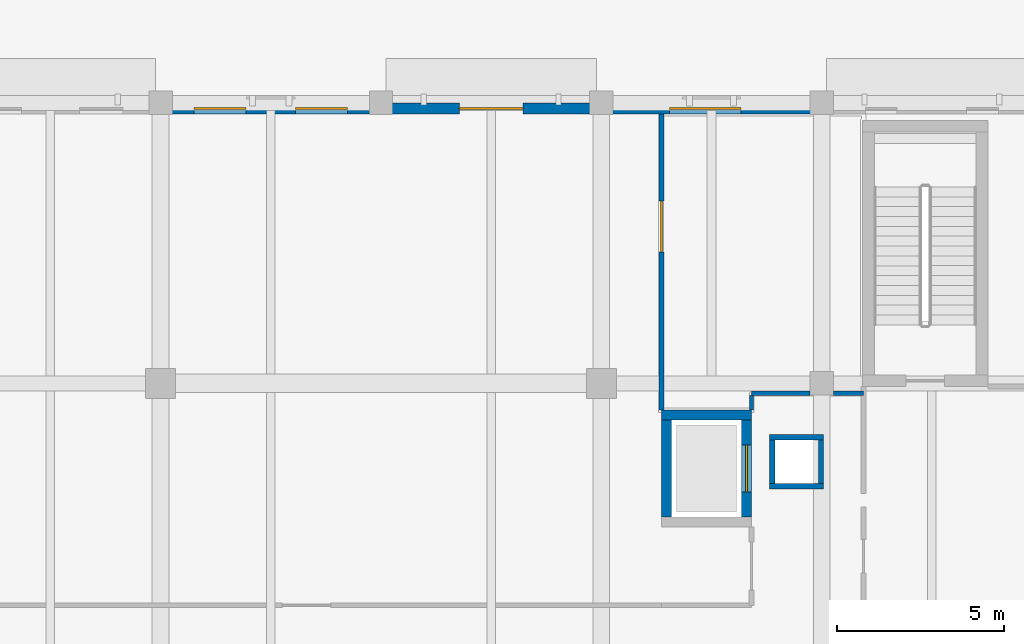
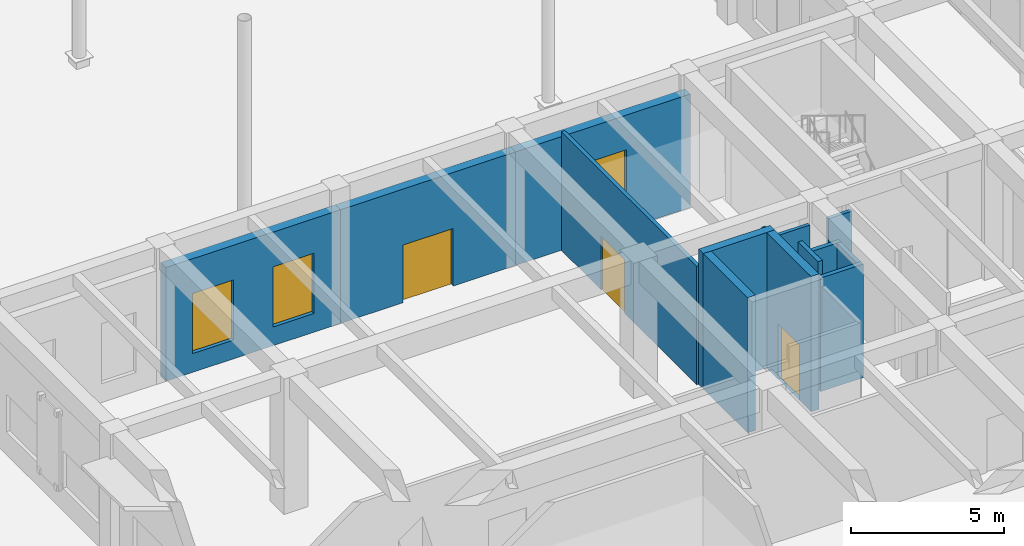
# One storey, part 53 of 82: 14 walls, 3 doors, 3 windows, 6 openings.
"""IFC4 building model written with IfcOpenShell, lengths in metres."""

from ifc_helpers import new_model, si_unit, direction, frame, frame_2d, origin, place, context, subcontext, project, spatial, rectangle, extrude, material, layer, layer_set, type_object, element, fill, save


model = new_model("IFC4")

# Units and contexts
model_context = context("Model", 3, precision=1e-05, world=origin(), true_north=direction((0.0, 1.0)))
body_context = subcontext(model_context, "Body", "Model", "MODEL_VIEW")
ifc_project = project(units=[si_unit("LENGTHUNIT", "METRE"), si_unit("AREAUNIT", "SQUARE_METRE"), si_unit("VOLUMEUNIT", "CUBIC_METRE"), si_unit("PLANEANGLEUNIT", "RADIAN"), si_unit("MASSUNIT", "GRAM", prefix="KILO")], contexts=[model_context])

# Site, building, storey
site_placement = place(None, origin())
site = spatial("IfcSite", under=ifc_project, at=site_placement, CompositionType="ELEMENT")
building_placement = place(site_placement, origin())
building = spatial("IfcBuilding", under=site, at=building_placement, Name="Kolvaren Faculty of Natural Sciences", CompositionType="ELEMENT")
storey_placement = place(building_placement, origin())
storey = spatial("IfcBuildingStorey", under=building, at=storey_placement, Name="L00", CompositionType="ELEMENT", Elevation=0.0)

# Wall, opening, door
ifc_material_1 = material(Name="Acoustic mineral-wool insulated gypsum partition")
ifc_layer_1 = layer(ifc_material_1, 0.139892578125)
ifc_layer_set_1 = layer_set([ifc_layer_1], Name="Acoustic mineral-wool insulated gypsum partition")
wall_type_1 = type_object("IfcWallType", Name="CommonsPartitionWall_140", PredefinedType="PARTITIONING", material=ifc_layer_set_1)
wall_1_placement = place(storey_placement, frame((120.800048828125, 41.85791015625, 0.0), z_axis=(0.0, 0.0, 1.0), x_axis=(0.0, -1.0, 0.0)))
wall_1 = element("IfcWall", 1, at=wall_1_placement, inside=storey, type_object=wall_type_1, Name="L00 interior partition PW-140", PredefinedType="PARTITIONING", context=body_context, shape_type="SweptSolid", body=[
    extrude(rectangle(XDim=8.85595703125, YDim=0.139892578125, at=frame_2d((4.427978515625, 0.0))), origin(), (0.0, 0.0, 1.0), 4.735107421875),
])
opening_1_placement = place(wall_1_placement, frame((2.605224609375, 0.0, 0.0)))
opening_1 = element("IfcOpeningElement", 2, at=opening_1_placement, cuts=wall_1, Name="Opening ID-28", PredefinedType="OPENING", context=body_context, shape_type="SweptSolid", body=[
    extrude(rectangle(XDim=1.52001953125, YDim=2.139892578125, at=frame_2d((0.760009765625, 1.06982421875))), frame((0.0, 0.079833984375, 0.0), z_axis=(0.0, -1.0, 0.0), x_axis=(1.0, 0.0, 0.0)), (0.0, 0.0, 1.0), 0.159912109375),
])
ifc_material_2 = material(Name="Thermally broken anodised aluminium glazed door", Category="aluminium")
door_type_1 = type_object("IfcDoorType", Name="InteriorRoomDoor_1520x2140", OperationType="DOUBLE_DOOR_SINGLE_SWING", PredefinedType="DOOR", material=ifc_material_2)
door_1_placement = place(opening_1_placement, origin())
door_1 = element("IfcDoor", 3, at=door_1_placement, inside=storey, type_object=door_type_1, Name="D-L00-0090", OperationType="DOUBLE_DOOR_SINGLE_SWING", OverallHeight=2.139892578125, OverallWidth=1.52001953125, PredefinedType="DOOR", context=body_context, shape_type="SweptSolid", body=[
    extrude(rectangle(XDim=1.52001953125, YDim=2.139892578125, at=frame_2d((0.760009765625, 1.06982421875))), frame((0.0, 0.02490234375, 0.0), z_axis=(0.0, -1.0, 0.0), x_axis=(1.0, 0.0, 0.0)), (0.0, 0.0, 1.0), 0.050048828125),
])
fill(opening_1, door_1)

# Wall, openings, windows
ifc_material_3 = material(Name="Sandstone-faced insulated cavity masonry", Category="masonry")
ifc_layer_2 = layer(ifc_material_3, 0.340087890625)
ifc_layer_set_2 = layer_set([ifc_layer_2], Name="Sandstone-faced insulated cavity masonry")
wall_type_2 = type_object("IfcWallType", Name="ExteriorCavityWall_340", PredefinedType="STANDARD", material=ifc_layer_set_2)
wall_2_placement = place(storey_placement, frame((105.800048828125, 42.030029296875, 0.0), z_axis=(0.0, 0.0, 1.0), x_axis=(1.0, 0.0, 0.0)))
wall_2 = element("IfcWall", 4, at=wall_2_placement, inside=storey, type_object=wall_type_2, Name="L00 exterior masonry wall EW-340 (145)", PredefinedType="STANDARD", context=body_context, shape_type="SweptSolid", body=[
    extrude(rectangle(XDim=6.599853515625, YDim=0.340087890625, at=frame_2d((3.2998046875, 0.0))), origin(), (0.0, 0.0, 1.0), 4.534912109375),
])
opening_2_placement = place(wall_2_placement, frame((1.007080078125, 0.0, 0.75)))
opening_2 = element("IfcOpeningElement", 5, at=opening_2_placement, cuts=wall_2, Name="Opening WIN-20", PredefinedType="OPENING", context=body_context, shape_type="SweptSolid", body=[
    extrude(rectangle(XDim=1.550048828125, YDim=2.39990234375, at=frame_2d((0.77490234375, 1.199951171875))), frame((0.0, 0.179931640625, 0.0), z_axis=(0.0, -1.0, 0.0), x_axis=(1.0, 0.0, 0.0)), (0.0, 0.0, 1.0), 0.360107421875),
])
opening_3_placement = place(wall_2_placement, frame((4.04296875, 0.0, 0.75)))
opening_3 = element("IfcOpeningElement", 6, at=opening_3_placement, cuts=wall_2, Name="Opening WIN-20", PredefinedType="OPENING", context=body_context, shape_type="SweptSolid", body=[
    extrude(rectangle(XDim=1.550048828125, YDim=2.39990234375, at=frame_2d((0.77490234375, 1.199951171875))), frame((0.0, 0.179931640625, 0.0), z_axis=(0.0, -1.0, 0.0), x_axis=(1.0, 0.0, 0.0)), (0.0, 0.0, 1.0), 0.360107421875),
])
ifc_material_4 = material(Name="Double low-E solar control insulated glazing", Category="glass")
window_type_1 = type_object("IfcWindowType", Name="AluWindow_WIN20_1550x2400", PartitioningType="SINGLE_PANEL", PredefinedType="WINDOW", material=ifc_material_4)
window_1_placement = place(opening_2_placement, origin())
window_1 = element("IfcWindow", 7, at=window_1_placement, inside=storey, type_object=window_type_1, Name="WIN-L00-0144", OverallHeight=2.39990234375, OverallWidth=1.550048828125, PartitioningType="SINGLE_PANEL", PredefinedType="WINDOW", context=body_context, shape_type="SweptSolid", body=[
    extrude(rectangle(XDim=1.550048828125, YDim=2.39990234375, at=frame_2d((0.77490234375, 1.199951171875))), frame((0.0, 0.030029296875, 0.0), z_axis=(0.0, -1.0, 0.0), x_axis=(1.0, 0.0, 0.0)), (0.0, 0.0, 1.0), 0.06005859375),
])
fill(opening_2, window_1)
window_2_placement = place(opening_3_placement, origin())
window_2 = element("IfcWindow", 8, at=window_2_placement, inside=storey, type_object=window_type_1, Name="WIN-L00-0145", OverallHeight=2.39990234375, OverallWidth=1.550048828125, PartitioningType="SINGLE_PANEL", PredefinedType="WINDOW", context=body_context, shape_type="SweptSolid", body=[
    extrude(rectangle(XDim=1.550048828125, YDim=2.39990234375, at=frame_2d((0.77490234375, 1.199951171875))), frame((0.0, 0.030029296875, 0.0), z_axis=(0.0, -1.0, 0.0), x_axis=(1.0, 0.0, 0.0)), (0.0, 0.0, 1.0), 0.06005859375),
])
fill(opening_3, window_2)

# Wall, opening, door
wall_3_placement = place(storey_placement, frame((112.39990234375, 42.030029296875, 0.0), z_axis=(0.0, 0.0, 1.0), x_axis=(1.0, 0.0, 0.0)))
wall_3 = element("IfcWall", 9, at=wall_3_placement, inside=storey, type_object=wall_type_2, Name="L00 exterior masonry wall EW-340 (146)", PredefinedType="STANDARD", context=body_context, shape_type="SweptSolid", body=[
    extrude(rectangle(XDim=6.60009765625, YDim=0.340087890625, at=frame_2d((3.300048828125, 0.0))), origin(), (0.0, 0.0, 1.0), 4.534912109375),
])
opening_4_placement = place(wall_3_placement, frame((2.35009765625, 0.0, 0.0)))
opening_4 = element("IfcOpeningElement", 10, at=opening_4_placement, cuts=wall_3, Name="Opening ED-02", PredefinedType="OPENING", context=body_context, shape_type="SweptSolid", body=[
    extrude(rectangle(XDim=1.89990234375, YDim=2.300048828125, at=frame_2d((0.949951171875, 1.14990234375))), frame((0.0, 0.179931640625, 0.0), z_axis=(0.0, -1.0, 0.0), x_axis=(1.0, 0.0, 0.0)), (0.0, 0.0, 1.0), 0.360107421875),
])
ifc_material_5 = material(Name="Thermally broken anodised aluminium framing", Category="aluminium")
door_type_2 = type_object("IfcDoorType", Name="PlazaExitDoubleDoor_1900x2300", OperationType="DOUBLE_DOOR_SINGLE_SWING", PredefinedType="DOOR", material=ifc_material_5)
door_2_placement = place(opening_4_placement, origin())
door_2 = element("IfcDoor", 11, at=door_2_placement, inside=storey, type_object=door_type_2, Name="D-L00-EX-23", OperationType="DOUBLE_DOOR_SINGLE_SWING", OverallHeight=2.300048828125, OverallWidth=1.89990234375, PredefinedType="DOOR", context=body_context, shape_type="SweptSolid", body=[
    extrude(rectangle(XDim=1.89990234375, YDim=2.300048828125, at=frame_2d((0.949951171875, 1.14990234375))), frame((0.0, 0.02490234375, 0.0), z_axis=(0.0, -1.0, 0.0), x_axis=(1.0, 0.0, 0.0)), (0.0, 0.0, 1.0), 0.050048828125),
])
fill(opening_4, door_2)

# Wall, opening, window
wall_4_placement = place(storey_placement, frame((119.0, 42.030029296875, 0.0), z_axis=(0.0, 0.0, 1.0), x_axis=(1.0, 0.0, 0.0)))
wall_4 = element("IfcWall", 12, at=wall_4_placement, inside=storey, type_object=wall_type_2, Name="L00 exterior masonry wall EW-340 (147)", PredefinedType="STANDARD", context=body_context, shape_type="SweptSolid", body=[
    extrude(rectangle(XDim=6.60009765625, YDim=0.340087890625, at=frame_2d((3.300048828125, 0.0))), origin(), (0.0, 0.0, 1.0), 4.534912109375),
])
opening_5_placement = place(wall_4_placement, frame((2.0400390625, 0.0, 0.75)))
opening_5 = element("IfcOpeningElement", 13, at=opening_5_placement, cuts=wall_4, Name="Opening WIN-22", PredefinedType="OPENING", context=body_context, shape_type="SweptSolid", body=[
    extrude(rectangle(XDim=2.14990234375, YDim=2.39990234375, at=frame_2d((1.074951171875, 1.199951171875))), frame((0.0, 0.179931640625, 0.0), z_axis=(0.0, -1.0, 0.0), x_axis=(1.0, 0.0, 0.0)), (0.0, 0.0, 1.0), 0.360107421875),
])
window_type_2 = type_object("IfcWindowType", Name="AluWindow_WIN22_2150x2400", PartitioningType="SINGLE_PANEL", PredefinedType="WINDOW", material=ifc_material_4)
window_3_placement = place(opening_5_placement, origin())
window_3 = element("IfcWindow", 14, at=window_3_placement, inside=storey, type_object=window_type_2, Name="WIN-L00-0146", OverallHeight=2.39990234375, OverallWidth=2.14990234375, PartitioningType="SINGLE_PANEL", PredefinedType="WINDOW", context=body_context, shape_type="SweptSolid", body=[
    extrude(rectangle(XDim=2.14990234375, YDim=2.39990234375, at=frame_2d((1.074951171875, 1.199951171875))), frame((0.0, 0.030029296875, 0.0), z_axis=(0.0, -1.0, 0.0), x_axis=(1.0, 0.0, 0.0)), (0.0, 0.0, 1.0), 0.06005859375),
])
fill(opening_5, window_3)

# Walls
ifc_layer_3 = layer(ifc_material_1, 0.1298828125)
ifc_layer_set_3 = layer_set([ifc_layer_3], Name="Acoustic mineral-wool insulated gypsum partition")
wall_type_3 = type_object("IfcWallType", Name="OfficePartitionWall_130", PredefinedType="PARTITIONING", material=ifc_layer_set_3)
wall_5_placement = place(storey_placement, frame((126.85009765625, 33.5, 0.0), z_axis=(0.0, 0.0, 1.0), x_axis=(-1.0, 0.0, 0.0)))
element("IfcWall", 15, at=wall_5_placement, inside=storey, type_object=wall_type_3, Name="L00 interior partition PW-130", PredefinedType="PARTITIONING", context=body_context, shape_type="SweptSolid", body=[
    extrude(rectangle(XDim=0.900146484375, YDim=0.1298828125, at=frame_2d((0.4501953125, 0.0))), origin(), (0.0, 0.0, 1.0), 4.534912109375),
])
wall_6_placement = place(storey_placement, frame((125.25, 33.5, 0.0), z_axis=(0.0, 0.0, 1.0), x_axis=(-1.0, 0.0, 0.0)))
element("IfcWall", 16, at=wall_6_placement, inside=storey, type_object=wall_type_3, Name="L00 interior partition PW-130", PredefinedType="PARTITIONING", context=body_context, shape_type="SweptSolid", body=[
    extrude(rectangle(XDim=1.75, YDim=0.1298828125, at=frame_2d((0.875, 0.0))), origin(), (0.0, 0.0, 1.0), 4.534912109375),
])
wall_7_placement = place(storey_placement, frame((123.5, 33.43505859375, 0.0), z_axis=(0.0, 0.0, 1.0), x_axis=(0.0, -1.0, 0.0)))
element("IfcWall", 17, at=wall_7_placement, inside=storey, type_object=wall_type_3, Name="L00 interior partition PW-130", PredefinedType="PARTITIONING", context=body_context, shape_type="SweptSolid", body=[
    extrude(rectangle(XDim=0.43310546875, YDim=0.1298828125, at=frame_2d((0.216552734375, 0.0))), origin(), (0.0, 0.0, 1.0), 5.094970703125),
])
ifc_material_6 = material(Name="Double fire-rated gypsum board on 100 mm steel stud", Category="steel")
ifc_layer_4 = layer(ifc_material_6, 0.159912109375)
ifc_layer_set_4 = layer_set([ifc_layer_4], Name="Double fire-rated gypsum board on 100 mm steel stud")
wall_type_4 = type_object("IfcWallType", Name="RiserShaftWall_160", PredefinedType="PARTITIONING", material=ifc_layer_set_4)
for number, where, z_axis, x_axis, name in (
    (18, (124.0400390625, 30.719970703125, 0.0), (0.0, 0.0, 1.0), (1.0, 0.0, 0.0), "L00 service riser shaft wall S"),
    (19, (124.0400390625, 32.179931640625, 0.0), (0.0, 0.0, 1.0), (1.0, 0.0, 0.0), "L00 service riser shaft wall N"),
):
    element("IfcWall", number, at=place(storey_placement, frame(where, z_axis=z_axis, x_axis=x_axis)), inside=storey, type_object=wall_type_4, Name=name, PredefinedType="PARTITIONING", context=body_context, shape_type="SweptSolid", body=[
        extrude(rectangle(XDim=1.619873046875, YDim=0.159912109375, at=frame_2d((0.81005859375, 0.0))), origin(), (0.0, 0.0, 1.0), 4.534912109375),
    ])
wall_8_placement = place(storey_placement, frame((124.1201171875, 30.800048828125, 0.0), z_axis=(0.0, 0.0, 1.0), x_axis=(0.0, 1.0, 0.0)))
element("IfcWall", 20, at=wall_8_placement, inside=storey, type_object=wall_type_4, Name="L00 service riser shaft wall W", PredefinedType="PARTITIONING", context=body_context, shape_type="SweptSolid", body=[
    extrude(rectangle(XDim=1.300048828125, YDim=0.159912109375, at=frame_2d((0.64990234375, 0.0))), origin(), (0.0, 0.0, 1.0), 5.094970703125),
])
wall_9_placement = place(storey_placement, frame((125.580078125, 30.800048828125, 0.0), z_axis=(0.0, 0.0, 1.0), x_axis=(0.0, 1.0, 0.0)))
element("IfcWall", 21, at=wall_9_placement, inside=storey, type_object=wall_type_4, Name="L00 service riser shaft wall E", PredefinedType="PARTITIONING", context=body_context, shape_type="SweptSolid", body=[
    extrude(rectangle(XDim=1.300048828125, YDim=0.159912109375, at=frame_2d((0.64990234375, 0.0))), origin(), (0.0, 0.0, 1.0), 4.534912109375),
])
ifc_material_7 = material(Name="Concrete C40/50", Category="concrete")
ifc_layer_5 = layer(ifc_material_7, 0.300048828125)
ifc_layer_set_5 = layer_set([ifc_layer_5], Name="Concrete C40/50")
wall_type_5 = type_object("IfcWallType", Name="ShaftShearWall_300", PredefinedType="SHEAR", material=ifc_layer_set_5)
wall_10_placement = place(storey_placement, frame((120.800048828125, 32.85009765625, 0.0), z_axis=(0.0, 0.0, 1.0), x_axis=(1.0, 0.0, 0.0)))
element("IfcWall", 22, at=wall_10_placement, inside=storey, type_object=wall_type_5, Name="L00 lift GL-1 shaft wall N", PredefinedType="SHEAR", context=body_context, shape_type="SweptSolid", body=[
    extrude(rectangle(XDim=2.699951171875, YDim=0.300048828125, at=frame_2d((1.35009765625, 0.0))), origin(), (0.0, 0.0, 1.0), 5.39990234375),
])
wall_11_placement = place(storey_placement, frame((120.949951171875, 29.800048828125, 0.0), z_axis=(0.0, 0.0, 1.0), x_axis=(0.0, 1.0, 0.0)))
element("IfcWall", 23, at=wall_11_placement, inside=storey, type_object=wall_type_5, Name="L00 lift GL-1 shaft wall W", PredefinedType="SHEAR", context=body_context, shape_type="SweptSolid", body=[
    extrude(rectangle(XDim=2.89990234375, YDim=0.300048828125, at=frame_2d((1.449951171875, 0.0))), origin(), (0.0, 0.0, 1.0), 5.39990234375),
])

# Wall, opening, door
wall_12_placement = place(storey_placement, frame((123.35009765625, 29.800048828125, 0.0), z_axis=(0.0, 0.0, 1.0), x_axis=(0.0, 1.0, 0.0)))
wall_12 = element("IfcWall", 24, at=wall_12_placement, inside=storey, type_object=wall_type_5, Name="L00 lift GL-1 shaft wall E", PredefinedType="SHEAR", context=body_context, shape_type="SweptSolid", body=[
    extrude(rectangle(XDim=2.89990234375, YDim=0.300048828125, at=frame_2d((1.449951171875, 0.0))), origin(), (0.0, 0.0, 1.0), 5.39990234375),
])
opening_6_placement = place(wall_12_placement, frame((0.75, 0.0, 0.0)))
opening_6 = element("IfcOpeningElement", 25, at=opening_6_placement, cuts=wall_12, Name="Opening LD-03", PredefinedType="OPENING", context=body_context, shape_type="SweptSolid", body=[
    extrude(rectangle(XDim=1.39990234375, YDim=2.199951171875, at=frame_2d((0.699951171875, 1.10009765625))), frame((0.0, 0.159912109375, 0.0), z_axis=(0.0, -1.0, 0.0), x_axis=(1.0, 0.0, 0.0)), (0.0, 0.0, 1.0), 0.320068359375),
])
ifc_material_8 = material(Name="Brushed stainless steel lift car and sliding door assembly", Category="steel")
door_type_3 = type_object("IfcDoorType", Name="GoodsLiftSliding_1400x2200", OperationType="DOUBLE_DOOR_SLIDING", PredefinedType="DOOR", material=ifc_material_8)
door_3_placement = place(opening_6_placement, origin())
door_3 = element("IfcDoor", 26, at=door_3_placement, inside=storey, type_object=door_type_3, Name="D-LIFT-GL-1-L00", OperationType="DOUBLE_DOOR_SLIDING", OverallHeight=2.199951171875, OverallWidth=1.39990234375, PredefinedType="DOOR", context=body_context, shape_type="SweptSolid", body=[
    extrude(rectangle(XDim=1.39990234375, YDim=2.199951171875, at=frame_2d((0.699951171875, 1.10009765625))), frame((0.0, 0.02490234375, 0.0), z_axis=(0.0, -1.0, 0.0), x_axis=(1.0, 0.0, 0.0)), (0.0, 0.0, 1.0), 0.050048828125),
])
fill(opening_6, door_3)

save(model, "model.ifc")
